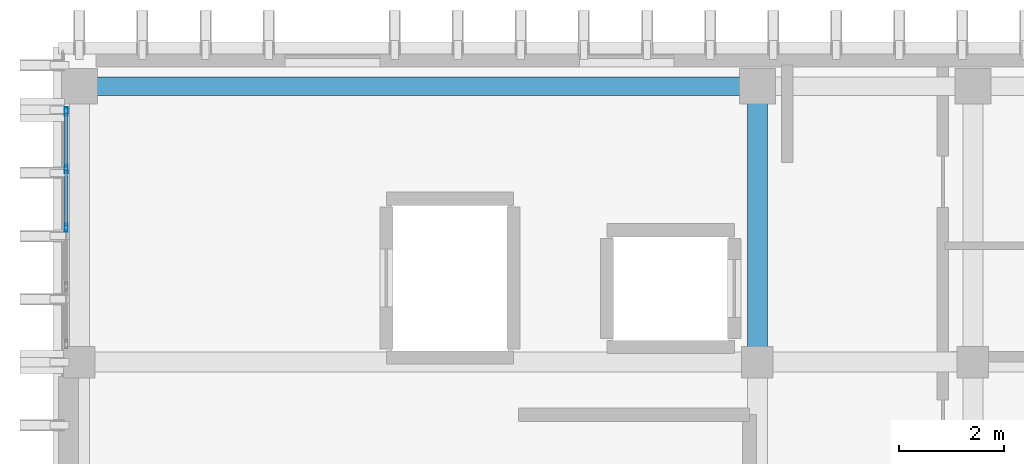
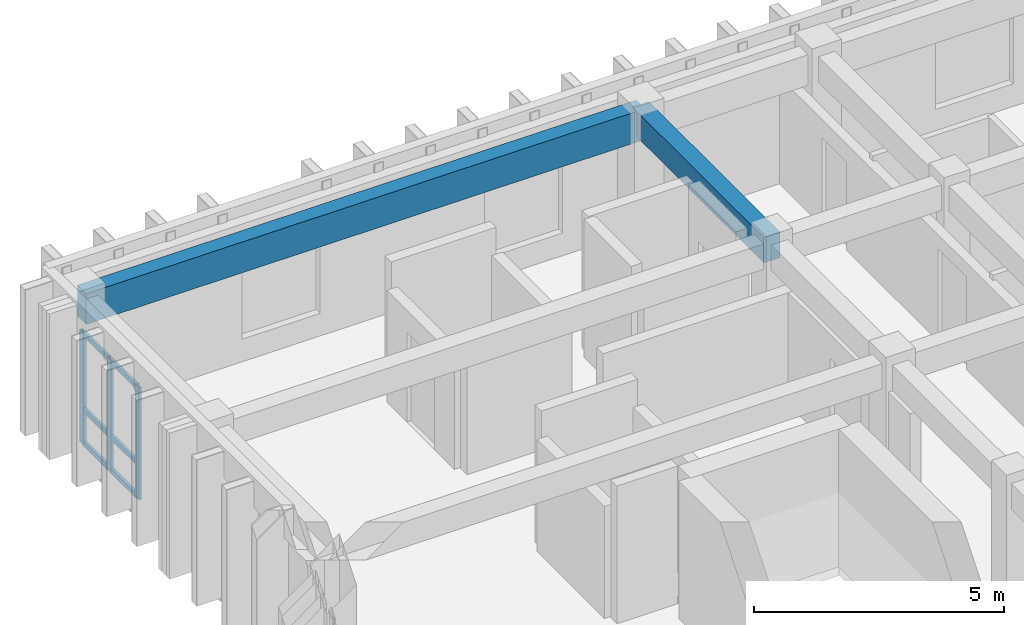
# One storey, part 38 of 53: 9 members, 2 beams, 1 element without a shape of its own.
"""IFC4 building model written with IfcOpenShell, lengths in metres."""

from ifc_helpers import new_model, si_unit, direction, frame, origin, origin_2d, place, context, subcontext, project, spatial, rectangle, hollow_rectangle, extrude, material, layer, layer_set, material_profile, profile_set, type_object, element, aggregate, save


model = new_model("IFC4")

# Units and contexts
model_context = context("Model", 3, precision=1e-05, world=origin(), true_north=direction((0.0, 1.0)))
body_context = subcontext(model_context, "Body", "Model", "MODEL_VIEW")
ifc_project = project(units=[si_unit("LENGTHUNIT", "METRE"), si_unit("AREAUNIT", "SQUARE_METRE"), si_unit("VOLUMEUNIT", "CUBIC_METRE"), si_unit("PLANEANGLEUNIT", "RADIAN"), si_unit("MASSUNIT", "GRAM", prefix="KILO")], contexts=[model_context])

# Site, building, storey
site_placement = place(None, origin())
site = spatial("IfcSite", under=ifc_project, at=site_placement, CompositionType="ELEMENT")
building_placement = place(site_placement, origin())
building = spatial("IfcBuilding", under=site, at=building_placement, Name="Nakhvara Creek Congress Hotel", CompositionType="ELEMENT")
storey_placement = place(building_placement, frame((0.0, 0.0, 35.39990234375)))
storey = spatial("IfcBuildingStorey", under=building, at=storey_placement, Name="L08", CompositionType="ELEMENT", Elevation=35.39990234375)

# Beams
ifc_material_1 = material(Name="Concrete C40/50", Category="concrete")
ifc_material_profile_1 = material_profile(ifc_material_1, rectangle(XDim=0.3798828125, YDim=0.6201171875, at=origin_2d()), Name="RC-BM 380x620", Category="LoadBearing")
ifc_profile_set_1 = profile_set([ifc_material_profile_1], Name="Concrete C40/50")
beam_type_1 = type_object("IfcBeamType", Name="BM-RC-380X620", PredefinedType="BEAM", material=ifc_profile_set_1)
beam_1_placement = place(storey_placement, frame((162.35009765625, 120.0, 3.050048828125), z_axis=(0.0, 1.0, 0.0), x_axis=(-1.0, 0.0, 0.0)))
element("IfcBeam", 1, at=beam_1_placement, inside=storey, type_object=beam_type_1, Name="Beam B10-L08-2472", PredefinedType="BEAM", context=body_context, shape_type="SweptSolid", body=[
    extrude(rectangle(XDim=0.3798828125, YDim=0.6201171875, at=origin_2d()), origin(), (0.0, 0.0, 1.0), 5.25),
])
ifc_material_profile_2 = material_profile(ifc_material_1, rectangle(XDim=0.35009765625, YDim=0.75, at=origin_2d()), Name="RC-SPANDREL 350x750", Category="LoadBearing")
ifc_profile_set_2 = profile_set([ifc_material_profile_2], Name="Concrete C40/50")
beam_type_2 = type_object("IfcBeamType", Name="BM-SPN-350X750", PredefinedType="SPANDREL", material=ifc_profile_set_2)
beam_2_placement = place(storey_placement, frame((149.449951171875, 125.25, 2.985107421875), z_axis=(1.0, 0.0, 0.0), x_axis=(0.0, 1.0, 0.0)))
element("IfcBeam", 2, at=beam_2_placement, inside=storey, type_object=beam_type_2, Name="Beam SP1-L08-2448", PredefinedType="SPANDREL", context=body_context, shape_type="SweptSolid", body=[
    extrude(rectangle(XDim=0.35009765625, YDim=0.75, at=origin_2d()), origin(), (0.0, 0.0, 1.0), 12.900146484375),
])

# Curtain wall, members
ifc_material_2 = material(Name="Bronze-anodised aluminium AW-6063-T6 and double-silver low-E glass", Category="aluminium")
ifc_layer = layer(ifc_material_2, 0.199951171875)
ifc_layer_set = layer_set([ifc_layer], Name="Bronze-anodised aluminium AW-6063-T6 and double-silver low-E glass")
curtain_wall_type = type_object("IfcCurtainWallType", Name="CW-HTL-UNIT", PredefinedType="USERDEFINED", material=ifc_layer_set)
curtain_wall_placement = place(storey_placement, origin())
curtain_wall = element("IfcCurtainWall", 3, at=curtain_wall_placement, inside=storey, type_object=curtain_wall_type, Name="Curtain Wall CW294", ObjectType="UNITISED", PredefinedType="USERDEFINED")
ifc_material_3 = material(Name="Bronze-anodised aluminium AW-6063-T6", Category="aluminium")
ifc_material_profile_3 = material_profile(ifc_material_3, hollow_rectangle(XDim=0.06494140625, YDim=0.159912109375, WallThickness=0.00390625, at=origin_2d()), Name="ALU-MULL 65x160x4", Category="LoadBearing")
ifc_profile_set_3 = profile_set([ifc_material_profile_3], Name="Bronze-anodised aluminium AW-6063-T6")
member_type_1 = type_object("IfcMemberType", Name="CW-MULL-160", PredefinedType="MULLION", material=ifc_profile_set_3)
member_1_placement = place(storey_placement, frame((149.199951171875, 122.5576171875, 0.0), z_axis=(0.0, 0.0, 1.0), x_axis=(-1.0, 0.0, 0.0)))
member_1 = element("IfcMember", 4, at=member_1_placement, type_object=member_type_1, Name="CW294 mullion 3", PredefinedType="MULLION", context=body_context, shape_type="SweptSolid", body=[
    extrude(hollow_rectangle(XDim=0.06494140625, YDim=0.159912109375, WallThickness=0.00390625, at=origin_2d()), origin(), (0.0, 0.0, 1.0), 2.732177734375),
])
member_2_placement = place(storey_placement, frame((149.199951171875, 123.6787109375, 0.0), z_axis=(0.0, 0.0, 1.0), x_axis=(-1.0, 0.0, 0.0)))
member_2 = element("IfcMember", 5, at=member_2_placement, type_object=member_type_1, Name="CW294 mullion 4", PredefinedType="MULLION", context=body_context, shape_type="SweptSolid", body=[
    extrude(hollow_rectangle(XDim=0.06494140625, YDim=0.159912109375, WallThickness=0.00390625, at=origin_2d()), origin(), (0.0, 0.0, 1.0), 2.732177734375),
])
member_3_placement = place(storey_placement, frame((149.199951171875, 124.767578125, 0.0), z_axis=(0.0, 0.0, 1.0), x_axis=(-1.0, 0.0, 0.0)))
member_3 = element("IfcMember", 6, at=member_3_placement, type_object=member_type_1, Name="CW294 mullion 5", PredefinedType="MULLION", context=body_context, shape_type="SweptSolid", body=[
    extrude(hollow_rectangle(XDim=0.06494140625, YDim=0.159912109375, WallThickness=0.00390625, at=origin_2d()), origin(), (0.0, 0.0, 1.0), 2.732177734375),
])
ifc_material_profile_4 = material_profile(ifc_material_3, hollow_rectangle(XDim=0.06494140625, YDim=0.1201171875, WallThickness=0.00390625, at=origin_2d()), Name="ALU-TRAN 65x120x4", Category="LoadBearing")
ifc_profile_set_4 = profile_set([ifc_material_profile_4], Name="Bronze-anodised aluminium AW-6063-T6")
member_type_2 = type_object("IfcMemberType", Name="CW-TRAN-120", PredefinedType="USERDEFINED", material=ifc_profile_set_4)
member_4_placement = place(storey_placement, frame((149.199951171875, 122.590087890625, 0.03271484375), z_axis=(0.0, 1.0, 0.0), x_axis=(-1.0, 0.0, 0.0)))
member_4 = element("IfcMember", 7, at=member_4_placement, type_object=member_type_2, Name="CW294 transom 3.1", ObjectType="TRANSOM", PredefinedType="USERDEFINED", context=body_context, shape_type="SweptSolid", body=[
    extrude(hollow_rectangle(XDim=0.06494140625, YDim=0.1201171875, WallThickness=0.00390625, at=origin_2d()), origin(), (0.0, 0.0, 1.0), 1.05615234375),
])
member_5_placement = place(storey_placement, frame((149.199951171875, 122.590087890625, 0.85009765625), z_axis=(0.0, 1.0, 0.0), x_axis=(-1.0, 0.0, 0.0)))
member_5 = element("IfcMember", 8, at=member_5_placement, type_object=member_type_2, Name="CW294 transom 3.2", ObjectType="TRANSOM", PredefinedType="USERDEFINED", context=body_context, shape_type="SweptSolid", body=[
    extrude(hollow_rectangle(XDim=0.06494140625, YDim=0.1201171875, WallThickness=0.00390625, at=origin_2d()), origin(), (0.0, 0.0, 1.0), 1.05615234375),
])
member_6_placement = place(storey_placement, frame((149.199951171875, 122.590087890625, 2.69970703125), z_axis=(0.0, 1.0, 0.0), x_axis=(-1.0, 0.0, 0.0)))
member_6 = element("IfcMember", 9, at=member_6_placement, type_object=member_type_2, Name="CW294 transom 3.3", ObjectType="TRANSOM", PredefinedType="USERDEFINED", context=body_context, shape_type="SweptSolid", body=[
    extrude(hollow_rectangle(XDim=0.06494140625, YDim=0.1201171875, WallThickness=0.00390625, at=origin_2d()), origin(), (0.0, 0.0, 1.0), 1.05615234375),
])
member_7_placement = place(storey_placement, frame((149.199951171875, 123.711181640625, 0.03271484375), z_axis=(0.0, 1.0, 0.0), x_axis=(-1.0, 0.0, 0.0)))
member_7 = element("IfcMember", 10, at=member_7_placement, type_object=member_type_2, Name="CW294 transom 4.1", ObjectType="TRANSOM", PredefinedType="USERDEFINED", context=body_context, shape_type="SweptSolid", body=[
    extrude(hollow_rectangle(XDim=0.06494140625, YDim=0.1201171875, WallThickness=0.00390625, at=origin_2d()), origin(), (0.0, 0.0, 1.0), 1.02392578125),
])
member_8_placement = place(storey_placement, frame((149.199951171875, 123.711181640625, 0.85009765625), z_axis=(0.0, 1.0, 0.0), x_axis=(-1.0, 0.0, 0.0)))
member_8 = element("IfcMember", 11, at=member_8_placement, type_object=member_type_2, Name="CW294 transom 4.2", ObjectType="TRANSOM", PredefinedType="USERDEFINED", context=body_context, shape_type="SweptSolid", body=[
    extrude(hollow_rectangle(XDim=0.06494140625, YDim=0.1201171875, WallThickness=0.00390625, at=origin_2d()), origin(), (0.0, 0.0, 1.0), 1.02392578125),
])
member_9_placement = place(storey_placement, frame((149.199951171875, 123.711181640625, 2.69970703125), z_axis=(0.0, 1.0, 0.0), x_axis=(-1.0, 0.0, 0.0)))
member_9 = element("IfcMember", 12, at=member_9_placement, type_object=member_type_2, Name="CW294 transom 4.3", ObjectType="TRANSOM", PredefinedType="USERDEFINED", context=body_context, shape_type="SweptSolid", body=[
    extrude(hollow_rectangle(XDim=0.06494140625, YDim=0.1201171875, WallThickness=0.00390625, at=origin_2d()), origin(), (0.0, 0.0, 1.0), 1.02392578125),
])
aggregate(curtain_wall, [member_1, member_2, member_3, member_4, member_5, member_6, member_7, member_8, member_9])

save(model, "model.ifc")
